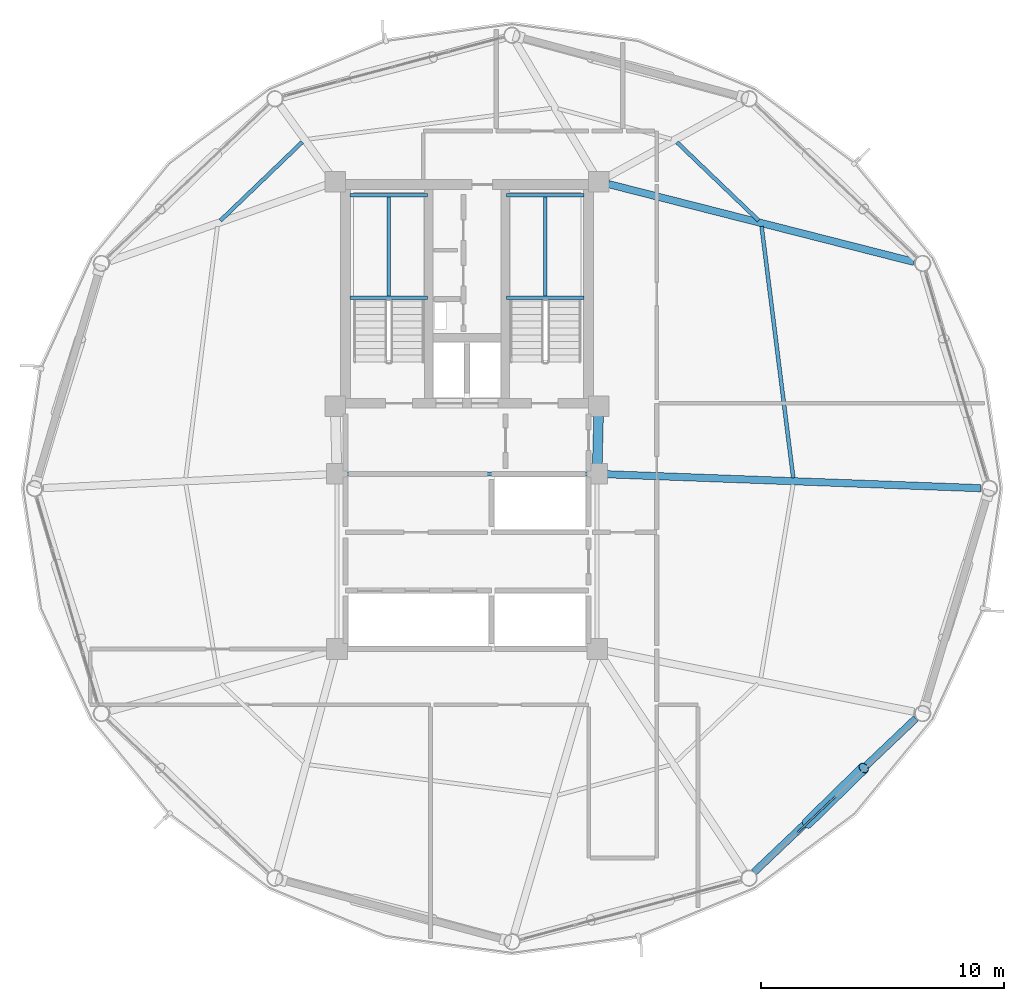
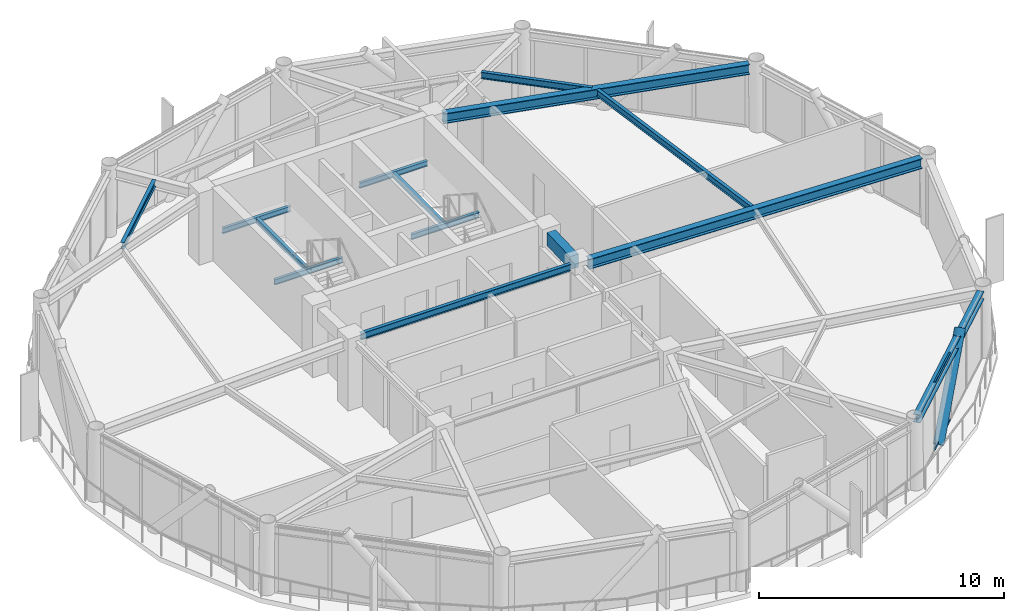
# One storey, part 14 of 28: 14 beams, 3 members, 1 element without a shape of its own.
"""IFC4 building model written with IfcOpenShell, lengths in metres."""

from ifc_helpers import new_model, si_unit, direction, frame, origin, origin_2d, place, context, subcontext, project, spatial, rectangle, hollow_rectangle, hollow_circle, i_section, extrude, material, layer, layer_set, material_profile, profile_set, type_object, element, aggregate, save


model = new_model("IFC4")

# Units and contexts
model_context = context("Model", 3, precision=1e-05, world=origin(), true_north=direction((0.0, 1.0)))
body_context = subcontext(model_context, "Body", "Model", "MODEL_VIEW")
ifc_project = project(units=[si_unit("LENGTHUNIT", "METRE"), si_unit("AREAUNIT", "SQUARE_METRE"), si_unit("VOLUMEUNIT", "CUBIC_METRE"), si_unit("PLANEANGLEUNIT", "RADIAN"), si_unit("MASSUNIT", "GRAM", prefix="KILO")], contexts=[model_context])

# Site, building, storey
site_placement = place(None, origin())
site = spatial("IfcSite", under=ifc_project, at=site_placement, CompositionType="ELEMENT")
building_placement = place(site_placement, origin())
building = spatial("IfcBuilding", under=site, at=building_placement, Name="Varnakorn Sky Granary", CompositionType="ELEMENT")
storey_placement = place(building_placement, frame((0.0, 0.0, 186.0)))
storey = spatial("IfcBuildingStorey", under=building, at=storey_placement, Name="L46", CompositionType="ELEMENT", Elevation=186.0)

# Beams
ifc_material_1 = material(Name="Concrete C50/60", Category="concrete")
ifc_material_profile_1 = material_profile(ifc_material_1, rectangle(XDim=0.39990234375, YDim=0.64990234375, at=origin_2d()), Name="RC 400x650")
ifc_profile_set_1 = profile_set([ifc_material_profile_1], Name="Concrete C50/60")
beam_type_1 = type_object("IfcBeamType", Name="BM-LIN-650", PredefinedType="LINTEL", material=ifc_profile_set_1)
beam_1_placement = place(storey_placement, frame((8.409912109375, 2.97509765625, 3.034912109375), z_axis=(-0.025270737467, -0.99968064392, 0.0), x_axis=(0.99968064392, -0.025270737467, 0.0)))
element("IfcBeam", 1, at=beam_1_placement, inside=storey, type_object=beam_type_1, Name="Core Spine Framing Beam 2 L46", PredefinedType="LINTEL", context=body_context, shape_type="SweptSolid", body=[
    extrude(rectangle(XDim=0.39990234375, YDim=0.64990234375, at=origin_2d()), origin(), (0.0, 0.0, 1.0), 1.970947265625),
])
ifc_material_2 = material(Name="Steel S355JR", Category="steel")
ifc_material_profile_2 = material_profile(ifc_material_2, i_section(OverallWidth=0.135009765625, OverallDepth=0.27001953125, WebThickness=0.006591796875, FlangeThickness=0.01025390625, at=origin_2d()), Name="IPE 270")
ifc_profile_set_2 = profile_set([ifc_material_profile_2], Name="Steel S355JR")
beam_type_2 = type_object("IfcBeamType", Name="BM-LND-270", PredefinedType="BEAM", material=ifc_profile_set_2)
for number, where, z_axis, x_axis, name in (
    (2, (-1.820068359375, 7.840087890625, 1.465087890625), (1.0, 0.0, 0.0), (0.0, 1.0, 0.0), "Stair ST-1 Landing Trimmer Beam A L46-1"),
    (3, (-1.820068359375, 12.06005859375, 1.465087890625), (1.0, 0.0, 0.0), (0.0, 1.0, 0.0), "Stair ST-1 Landing Trimmer Beam B L46-1"),
):
    element("IfcBeam", number, at=place(storey_placement, frame(where, z_axis=z_axis, x_axis=x_axis)), inside=storey, type_object=beam_type_2, Name=name, PredefinedType="BEAM", context=body_context, shape_type="SweptSolid", body=[
        extrude(i_section(OverallWidth=0.135009765625, OverallDepth=0.27001953125, WebThickness=0.006591796875, FlangeThickness=0.01025390625, at=origin_2d()), origin(), (0.0, 0.0, 1.0), 3.199951171875),
    ])
beam_2_placement = place(storey_placement, frame((-0.219970703125, 7.840087890625, 1.465087890625), z_axis=(0.0, 1.0, 0.0), x_axis=(-1.0, 0.0, 0.0)))
element("IfcBeam", 4, at=beam_2_placement, inside=storey, type_object=beam_type_2, Name="Stair ST-1 Landing Cross Beam C L46-1", PredefinedType="BEAM", context=body_context, shape_type="SweptSolid", body=[
    extrude(i_section(OverallWidth=0.135009765625, OverallDepth=0.27001953125, WebThickness=0.006591796875, FlangeThickness=0.01025390625, at=origin_2d()), origin(), (0.0, 0.0, 1.0), 4.219970703125),
])
for number, where, z_axis, x_axis, name in (
    (5, (4.6201171875, 7.840087890625, 1.465087890625), (1.0, 0.0, 0.0), (0.0, 1.0, 0.0), "Stair ST-2 Landing Trimmer Beam A L46-1"),
    (6, (4.6201171875, 12.06005859375, 1.465087890625), (1.0, 0.0, 0.0), (0.0, 1.0, 0.0), "Stair ST-2 Landing Trimmer Beam B L46-1"),
):
    element("IfcBeam", number, at=place(storey_placement, frame(where, z_axis=z_axis, x_axis=x_axis)), inside=storey, type_object=beam_type_2, Name=name, PredefinedType="BEAM", context=body_context, shape_type="SweptSolid", body=[
        extrude(i_section(OverallWidth=0.135009765625, OverallDepth=0.27001953125, WebThickness=0.006591796875, FlangeThickness=0.01025390625, at=origin_2d()), origin(), (0.0, 0.0, 1.0), 3.199951171875),
    ])
beam_3_placement = place(storey_placement, frame((6.219970703125, 7.840087890625, 1.465087890625), z_axis=(0.0, 1.0, 0.0), x_axis=(-1.0, 0.0, 0.0)))
element("IfcBeam", 7, at=beam_3_placement, inside=storey, type_object=beam_type_2, Name="Stair ST-2 Landing Cross Beam C L46-1", PredefinedType="BEAM", context=body_context, shape_type="SweptSolid", body=[
    extrude(i_section(OverallWidth=0.135009765625, OverallDepth=0.27001953125, WebThickness=0.006591796875, FlangeThickness=0.01025390625, at=origin_2d()), origin(), (0.0, 0.0, 1.0), 4.219970703125),
])
ifc_material_profile_3 = material_profile(ifc_material_2, i_section(OverallWidth=0.300048828125, OverallDepth=0.5, WebThickness=0.014404296875, FlangeThickness=0.028076171875, at=origin_2d()), Name="HE 500 B")
ifc_profile_set_3 = profile_set([ifc_material_profile_3], Name="Steel S355JR")
beam_type_3 = type_object("IfcBeamType", Name="BM-RAD-Z4", PredefinedType="BEAM", material=ifc_profile_set_3)
beam_4_placement = place(storey_placement, frame((8.754638671875, 0.5849609375, 3.110107421875), z_axis=(0.999304283991, -0.037295415237, 0.0), x_axis=(0.037295415237, 0.999304283991, 0.0)))
element("IfcBeam", 8, at=beam_4_placement, inside=storey, type_object=beam_type_3, Name="Radial Floor Girder RG01 L46", PredefinedType="BEAM", context=body_context, shape_type="SweptSolid", body=[
    extrude(i_section(OverallWidth=0.300048828125, OverallDepth=0.5, WebThickness=0.014404296875, FlangeThickness=0.028076171875, at=origin_2d()), origin(), (0.0, 0.0, 1.0), 15.370361328125),
])
beam_5_placement = place(storey_placement, frame((8.8125, 12.52001953125, 3.110107421875), z_axis=(0.969056916025, -0.246837382712, 0.0), x_axis=(0.246837382712, 0.969056916025, 0.0)))
element("IfcBeam", 9, at=beam_5_placement, inside=storey, type_object=beam_type_3, Name="Radial Floor Girder RG02 L46", PredefinedType="BEAM", context=body_context, shape_type="SweptSolid", body=[
    extrude(i_section(OverallWidth=0.300048828125, OverallDepth=0.5, WebThickness=0.014404296875, FlangeThickness=0.028076171875, at=origin_2d()), origin(), (0.0, 0.0, 1.0), 12.97265625),
])
ifc_material_profile_4 = material_profile(ifc_material_2, i_section(OverallWidth=0.159912109375, OverallDepth=0.330078125, WebThickness=0.007568359375, FlangeThickness=0.011474609375, at=origin_2d()), Name="IPE 330")
ifc_profile_set_4 = profile_set([ifc_material_profile_4], Name="Steel S355JR")
beam_type_4 = type_object("IfcBeamType", Name="BM-SEC-Z4", PredefinedType="BEAM", material=ifc_profile_set_4)
beam_6_placement = place(storey_placement, frame((16.4169921875, 0.437255859375, 3.195068359375), z_axis=(-0.124853319979, 0.99217521058, 0.0), x_axis=(-0.99217521058, -0.124853319979, 0.0)))
element("IfcBeam", 10, at=beam_6_placement, inside=storey, type_object=beam_type_4, Name="Secondary Floor Chord Beam MSB01 L46", PredefinedType="BEAM", context=body_context, shape_type="SweptSolid", body=[
    extrude(i_section(OverallWidth=0.159912109375, OverallDepth=0.330078125, WebThickness=0.007568359375, FlangeThickness=0.011474609375, at=origin_2d()), origin(), (0.0, 0.0, 1.0), 10.42431640625),
])
beam_7_placement = place(storey_placement, frame((14.9970703125, 11.015869140625, 3.195068359375), z_axis=(-0.721947811744, 0.691947510377, 0.0), x_axis=(-0.691947510377, -0.721947811744, 0.0)))
element("IfcBeam", 11, at=beam_7_placement, inside=storey, type_object=beam_type_4, Name="Secondary Floor Chord Beam MSB02 L46", PredefinedType="BEAM", context=body_context, shape_type="SweptSolid", body=[
    extrude(i_section(OverallWidth=0.159912109375, OverallDepth=0.330078125, WebThickness=0.007568359375, FlangeThickness=0.011474609375, at=origin_2d()), origin(), (0.0, 0.0, 1.0), 4.65478515625),
])
beam_8_placement = place(storey_placement, frame((-3.7734375, 14.25146484375, 3.195068359375), z_axis=(-0.721190112931, -0.692737194765, 0.0), x_axis=(0.692737194765, -0.721190112931, 0.0)))
element("IfcBeam", 12, at=beam_8_placement, inside=storey, type_object=beam_type_4, Name="Secondary Floor Chord Beam MSB05 L46", PredefinedType="BEAM", context=body_context, shape_type="SweptSolid", body=[
    extrude(i_section(OverallWidth=0.159912109375, OverallDepth=0.330078125, WebThickness=0.007568359375, FlangeThickness=0.011474609375, at=origin_2d()), origin(), (0.0, 0.0, 1.0), 4.67626953125),
])
beam_9_placement = place(storey_placement, frame((-1.945068359375, 0.60009765625, 3.195068359375), z_axis=(1.0, 0.0, 0.0), x_axis=(0.0, 1.0, 0.0)))
element("IfcBeam", 13, at=beam_9_placement, inside=storey, type_object=beam_type_4, Name="Core Spine Framing Beam 5 L46", PredefinedType="BEAM", context=body_context, shape_type="SweptSolid", body=[
    extrude(i_section(OverallWidth=0.159912109375, OverallDepth=0.330078125, WebThickness=0.007568359375, FlangeThickness=0.011474609375, at=origin_2d()), origin(), (0.0, 0.0, 1.0), 9.89013671875),
])
ifc_material_profile_5 = material_profile(ifc_material_2, i_section(OverallWidth=0.300048828125, OverallDepth=0.39990234375, WebThickness=0.013427734375, FlangeThickness=0.02392578125, at=origin_2d()), Name="HE 400 B")
ifc_profile_set_5 = profile_set([ifc_material_profile_5], Name="Steel S355JR")
beam_type_5 = type_object("IfcBeamType", Name="BM-SPD-Z4", PredefinedType="SPANDREL", material=ifc_profile_set_5)
beam_10_placement = place(storey_placement, frame((14.80029296875, -15.787109375, 3.159912109375), z_axis=(0.724852811502, 0.688903768067, 0.0), x_axis=(-0.688903768067, 0.724852811502, 0.0)))
element("IfcBeam", 14, at=beam_10_placement, inside=storey, type_object=beam_type_5, Name="Perimeter Spandrel Ring Beam RB11 L46", PredefinedType="SPANDREL", context=body_context, shape_type="SweptSolid", body=[
    extrude(i_section(OverallWidth=0.300048828125, OverallDepth=0.39990234375, WebThickness=0.013427734375, FlangeThickness=0.02392578125, at=origin_2d()), origin(), (0.0, 0.0, 1.0), 9.188720703125),
])

# Curtain wall, members
ifc_material_3 = material(Name="Anodised Bronze Aluminium Alloy 6063-T6", Category="aluminium")
ifc_layer = layer(ifc_material_3, 0.169921875, Name="Anodised Bronze Aluminium Alloy 6063-T6")
ifc_layer_set = layer_set([ifc_layer], Name="Anodised Bronze Aluminium Alloy 6063-T6")
curtain_wall_type = type_object("IfcCurtainWallType", Name="CW-LAB-1", PredefinedType="USERDEFINED", material=ifc_layer_set)
curtain_wall_placement = place(storey_placement, origin())
curtain_wall = element("IfcCurtainWall", 15, at=curtain_wall_placement, inside=storey, type_object=curtain_wall_type, Name="Unitised Curtain Wall CW5 CW-L46-B11", ObjectType="CURTAIN WALL", PredefinedType="USERDEFINED")
ifc_material_profile_6 = material_profile(ifc_material_3, hollow_rectangle(XDim=0.070068359375, YDim=0.139892578125, WallThickness=0.00341796875, at=origin_2d()), Name="ALU TRAN 70x140")
ifc_profile_set_6 = profile_set([ifc_material_profile_6], Name="Anodised Bronze Aluminium Alloy 6063-T6")
member_type_1 = type_object("IfcMemberType", Name="CW-LAB-1-TRAN", PredefinedType="USERDEFINED", material=ifc_profile_set_6)
member_1_placement = place(storey_placement, frame((18.1533203125, -12.6669921875, 0.034912109375), z_axis=(-0.725439559585, -0.688285874757, 0.0), x_axis=(0.688285874757, -0.725439559585, 0.0)))
member_1 = element("IfcMember", 16, at=member_1_placement, type_object=member_type_1, Name="CW5 transom 3.1", ObjectType="TRANSOM", PredefinedType="USERDEFINED", context=body_context, shape_type="SweptSolid", body=[
    extrude(hollow_rectangle(XDim=0.070068359375, YDim=0.139892578125, WallThickness=0.00341796875, at=origin_2d()), origin(), (0.0, 0.0, 1.0), 2.201416015625),
])
member_2_placement = place(storey_placement, frame((18.1533203125, -12.6669921875, 3.324951171875), z_axis=(-0.725439559585, -0.688285874757, 0.0), x_axis=(0.688285874757, -0.725439559585, 0.0)))
member_2 = element("IfcMember", 17, at=member_2_placement, type_object=member_type_1, Name="CW5 transom 3.2", ObjectType="TRANSOM", PredefinedType="USERDEFINED", context=body_context, shape_type="SweptSolid", body=[
    extrude(hollow_rectangle(XDim=0.070068359375, YDim=0.139892578125, WallThickness=0.00341796875, at=origin_2d()), origin(), (0.0, 0.0, 1.0), 2.201416015625),
])
aggregate(curtain_wall, [member_1, member_2])

# Member
ifc_material_4 = material(Name="Steel S460M", Category="steel")
ifc_material_profile_7 = material_profile(ifc_material_4, hollow_circle(Radius=0.228515625, WallThickness=0.01611328125, at=origin_2d()), Name="CHS 457x16")
ifc_profile_set_7 = profile_set([ifc_material_profile_7], Name="Steel S460M")
member_type_2 = type_object("IfcMemberType", Name="MB-DIAG-T3", PredefinedType="BRACE", material=ifc_profile_set_7)
member_3_placement = place(storey_placement, frame((16.986572265625, -13.77392578125, -0.1298828125), z_axis=(0.478344155866, 0.467919220365, 0.743127493612), x_axis=(-0.699274186459, 0.714853559936, 0.0)))
element("IfcMember", 18, at=member_3_placement, inside=storey, type_object=member_type_2, Name="Perimeter CHS Diagrid Brace DG11 L46", PredefinedType="BRACE", context=body_context, shape_type="SweptSolid", body=[
    extrude(hollow_circle(Radius=0.228515625, WallThickness=0.01611328125, at=origin_2d()), origin(), (0.0, 0.0, 1.0), 4.87109375),
])

save(model, "model.ifc")
